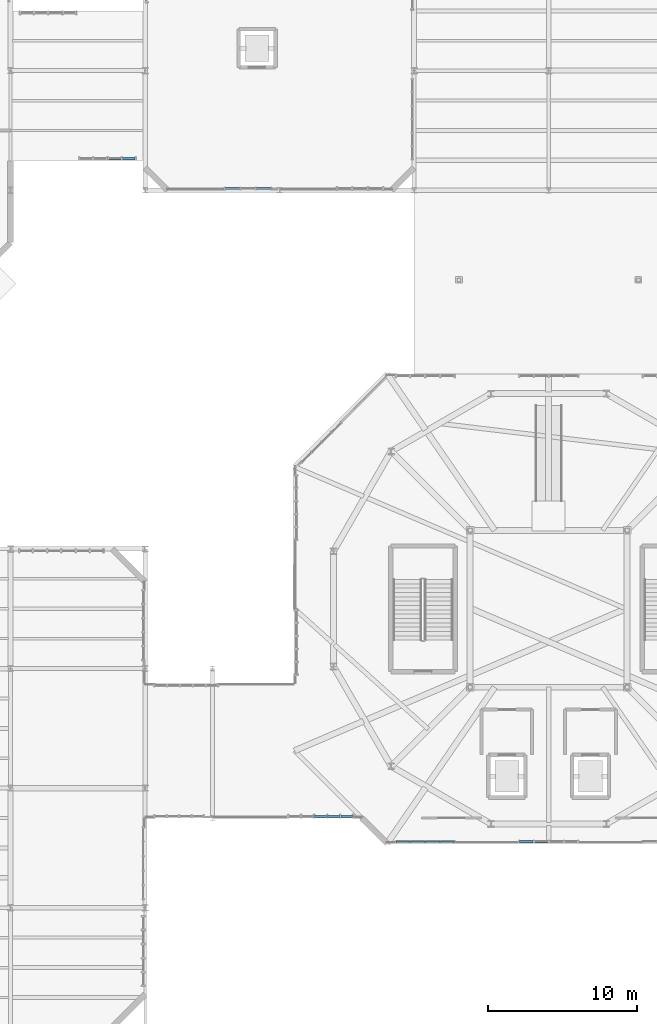
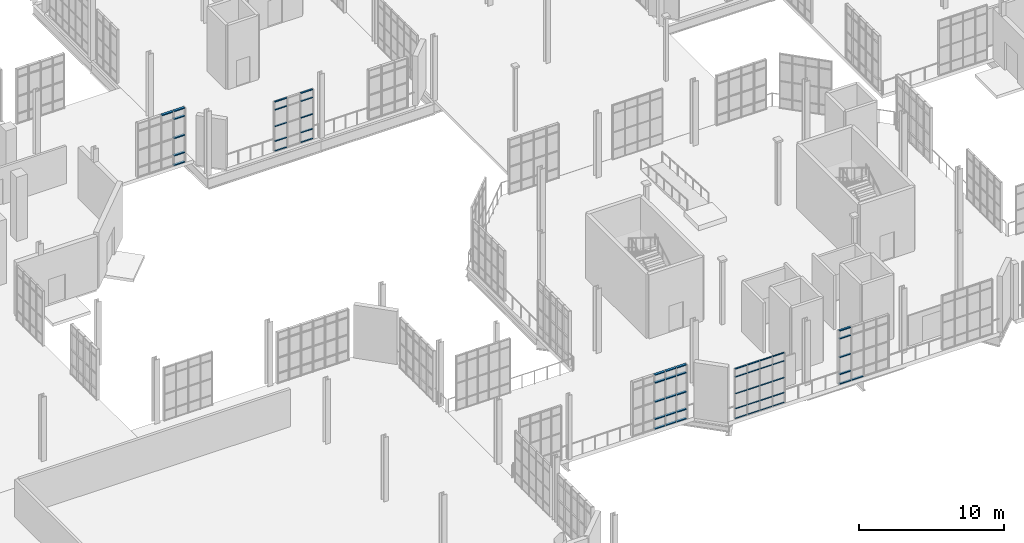
# One storey, part 119 of 189: 57 members, 5 elements without a shape of their own.
"""IFC4 building model written with IfcOpenShell, lengths in metres."""

from ifc_helpers import new_model, si_unit, direction, frame, origin, origin_2d, place, context, subcontext, project, spatial, hollow_rectangle, extrude, material, layer, layer_set, material_profile, profile_set, type_object, element, aggregate, save


model = new_model("IFC4")

# Units and contexts
model_context = context("Model", 3, precision=1e-05, world=origin(), true_north=direction((0.0, 1.0)))
body_context = subcontext(model_context, "Body", "Model", "MODEL_VIEW")
ifc_project = project(units=[si_unit("LENGTHUNIT", "METRE"), si_unit("AREAUNIT", "SQUARE_METRE"), si_unit("VOLUMEUNIT", "CUBIC_METRE"), si_unit("PLANEANGLEUNIT", "RADIAN"), si_unit("MASSUNIT", "GRAM", prefix="KILO"), si_unit("THERMODYNAMICTEMPERATUREUNIT", "KELVIN"), si_unit("POWERUNIT", "WATT")], contexts=[model_context])

# Site, building, storey
site_placement = place(None, origin())
site = spatial("IfcSite", under=ifc_project, at=site_placement, CompositionType="ELEMENT")
building_placement = place(site_placement, origin())
building = spatial("IfcBuilding", under=site, at=building_placement, Name="Zelmaris Science Centre", CompositionType="ELEMENT")
storey_placement = place(building_placement, origin())
storey = spatial("IfcBuildingStorey", under=building, at=storey_placement, Name="L00", CompositionType="ELEMENT", Elevation=0.0)

# Curtain wall, members
ifc_material = material(Name="Anodised architectural aluminium 6063-T6", Category="aluminium")
ifc_layer_1 = layer(ifc_material, 0.219970703125, Name="Anodised architectural aluminium 6063-T6")
ifc_layer_set_1 = layer_set([ifc_layer_1], Name="Anodised architectural aluminium 6063-T6")
curtain_wall_type_1 = type_object("IfcCurtainWallType", Name="Curtain Wall CW-04", PredefinedType="USERDEFINED", material=ifc_layer_set_1)
curtain_wall_1_placement = place(storey_placement, origin())
curtain_wall_1 = element("IfcCurtainWall", 1, at=curtain_wall_1_placement, inside=storey, type_object=curtain_wall_type_1, Name="L00 Unitised curtain wall 120", ObjectType="GLAZED CURTAIN WALL", PredefinedType="USERDEFINED")
ifc_material_profile_1 = material_profile(ifc_material, hollow_rectangle(XDim=0.06005859375, YDim=0.110107421875, WallThickness=0.0029296875, at=origin_2d()), Name="ALU-TRN-60X110")
ifc_profile_set_1 = profile_set([ifc_material_profile_1], Name="Anodised architectural aluminium 6063-T6")
member_type_1 = type_object("IfcMemberType", Name="ALU-TRN-60X110", PredefinedType="USERDEFINED", material=ifc_profile_set_1)
member_1_placement = place(storey_placement, frame((74.697265625, 20.419921875, 0.010986328125), z_axis=(-1.0, 0.0, 0.0), x_axis=(0.0, 0.0, 1.0)))
member_1 = element("IfcMember", 2, at=member_1_placement, type_object=member_type_1, Name="CW-04 transom 1.1", ObjectType="TRANSOM", PredefinedType="USERDEFINED", context=body_context, shape_type="SweptSolid", body=[
    extrude(hollow_rectangle(XDim=0.06005859375, YDim=0.110107421875, WallThickness=0.0029296875, at=origin_2d()), origin(), (0.0, 0.0, 1.0), 0.924072265625),
])
member_2_placement = place(storey_placement, frame((74.697265625, 20.419921875, 0.8349609375), z_axis=(-1.0, 0.0, 0.0), x_axis=(0.0, 0.0, 1.0)))
member_2 = element("IfcMember", 3, at=member_2_placement, type_object=member_type_1, Name="CW-04 transom 1.2", ObjectType="TRANSOM", PredefinedType="USERDEFINED", context=body_context, shape_type="SweptSolid", body=[
    extrude(hollow_rectangle(XDim=0.06005859375, YDim=0.110107421875, WallThickness=0.0029296875, at=origin_2d()), origin(), (0.0, 0.0, 1.0), 0.924072265625),
])
member_3_placement = place(storey_placement, frame((74.697265625, 20.419921875, 2.094482421875), z_axis=(-1.0, 0.0, 0.0), x_axis=(0.0, 0.0, 1.0)))
member_3 = element("IfcMember", 4, at=member_3_placement, type_object=member_type_1, Name="CW-04 transom 1.3", ObjectType="TRANSOM", PredefinedType="USERDEFINED", context=body_context, shape_type="SweptSolid", body=[
    extrude(hollow_rectangle(XDim=0.06005859375, YDim=0.110107421875, WallThickness=0.0029296875, at=origin_2d()), origin(), (0.0, 0.0, 1.0), 0.924072265625),
])
member_4_placement = place(storey_placement, frame((74.697265625, 20.419921875, 3.50390625), z_axis=(-1.0, 0.0, 0.0), x_axis=(0.0, 0.0, 1.0)))
member_4 = element("IfcMember", 5, at=member_4_placement, type_object=member_type_1, Name="CW-04 transom 1.4", ObjectType="TRANSOM", PredefinedType="USERDEFINED", context=body_context, shape_type="SweptSolid", body=[
    extrude(hollow_rectangle(XDim=0.06005859375, YDim=0.110107421875, WallThickness=0.0029296875, at=origin_2d()), origin(), (0.0, 0.0, 1.0), 0.924072265625),
])
member_5_placement = place(storey_placement, frame((74.697265625, 20.419921875, 4.177978515625), z_axis=(-1.0, 0.0, 0.0), x_axis=(0.0, 0.0, 1.0)))
member_5 = element("IfcMember", 6, at=member_5_placement, type_object=member_type_1, Name="CW-04 transom 1.5", ObjectType="TRANSOM", PredefinedType="USERDEFINED", context=body_context, shape_type="SweptSolid", body=[
    extrude(hollow_rectangle(XDim=0.06005859375, YDim=0.110107421875, WallThickness=0.0029296875, at=origin_2d()), origin(), (0.0, 0.0, 1.0), 0.924072265625),
])
member_6_placement = place(storey_placement, frame((73.72119140625, 20.419921875, 0.010986328125), z_axis=(-1.0, 0.0, 0.0), x_axis=(0.0, 0.0, 1.0)))
member_6 = element("IfcMember", 7, at=member_6_placement, type_object=member_type_1, Name="CW-04 transom 2.1", ObjectType="TRANSOM", PredefinedType="USERDEFINED", context=body_context, shape_type="SweptSolid", body=[
    extrude(hollow_rectangle(XDim=0.06005859375, YDim=0.110107421875, WallThickness=0.0029296875, at=origin_2d()), origin(), (0.0, 0.0, 1.0), 0.949951171875),
])
member_7_placement = place(storey_placement, frame((73.72119140625, 20.419921875, 0.8349609375), z_axis=(-1.0, 0.0, 0.0), x_axis=(0.0, 0.0, 1.0)))
member_7 = element("IfcMember", 8, at=member_7_placement, type_object=member_type_1, Name="CW-04 transom 2.2", ObjectType="TRANSOM", PredefinedType="USERDEFINED", context=body_context, shape_type="SweptSolid", body=[
    extrude(hollow_rectangle(XDim=0.06005859375, YDim=0.110107421875, WallThickness=0.0029296875, at=origin_2d()), origin(), (0.0, 0.0, 1.0), 0.949951171875),
])
member_8_placement = place(storey_placement, frame((73.72119140625, 20.419921875, 2.094482421875), z_axis=(-1.0, 0.0, 0.0), x_axis=(0.0, 0.0, 1.0)))
member_8 = element("IfcMember", 9, at=member_8_placement, type_object=member_type_1, Name="CW-04 transom 2.3", ObjectType="TRANSOM", PredefinedType="USERDEFINED", context=body_context, shape_type="SweptSolid", body=[
    extrude(hollow_rectangle(XDim=0.06005859375, YDim=0.110107421875, WallThickness=0.0029296875, at=origin_2d()), origin(), (0.0, 0.0, 1.0), 0.949951171875),
])
member_9_placement = place(storey_placement, frame((73.72119140625, 20.419921875, 3.50390625), z_axis=(-1.0, 0.0, 0.0), x_axis=(0.0, 0.0, 1.0)))
member_9 = element("IfcMember", 10, at=member_9_placement, type_object=member_type_1, Name="CW-04 transom 2.4", ObjectType="TRANSOM", PredefinedType="USERDEFINED", context=body_context, shape_type="SweptSolid", body=[
    extrude(hollow_rectangle(XDim=0.06005859375, YDim=0.110107421875, WallThickness=0.0029296875, at=origin_2d()), origin(), (0.0, 0.0, 1.0), 0.949951171875),
])
member_10_placement = place(storey_placement, frame((73.72119140625, 20.419921875, 4.177978515625), z_axis=(-1.0, 0.0, 0.0), x_axis=(0.0, 0.0, 1.0)))
member_10 = element("IfcMember", 11, at=member_10_placement, type_object=member_type_1, Name="CW-04 transom 2.5", ObjectType="TRANSOM", PredefinedType="USERDEFINED", context=body_context, shape_type="SweptSolid", body=[
    extrude(hollow_rectangle(XDim=0.06005859375, YDim=0.110107421875, WallThickness=0.0029296875, at=origin_2d()), origin(), (0.0, 0.0, 1.0), 0.949951171875),
])
member_11_placement = place(storey_placement, frame((72.71923828125, 20.419921875, 0.010986328125), z_axis=(-1.0, 0.0, 0.0), x_axis=(0.0, 0.0, 1.0)))
member_11 = element("IfcMember", 12, at=member_11_placement, type_object=member_type_1, Name="CW-04 transom 3.1", ObjectType="TRANSOM", PredefinedType="USERDEFINED", context=body_context, shape_type="SweptSolid", body=[
    extrude(hollow_rectangle(XDim=0.06005859375, YDim=0.110107421875, WallThickness=0.0029296875, at=origin_2d()), origin(), (0.0, 0.0, 1.0), 0.94970703125),
])
member_12_placement = place(storey_placement, frame((72.71923828125, 20.419921875, 0.8349609375), z_axis=(-1.0, 0.0, 0.0), x_axis=(0.0, 0.0, 1.0)))
member_12 = element("IfcMember", 13, at=member_12_placement, type_object=member_type_1, Name="CW-04 transom 3.2", ObjectType="TRANSOM", PredefinedType="USERDEFINED", context=body_context, shape_type="SweptSolid", body=[
    extrude(hollow_rectangle(XDim=0.06005859375, YDim=0.110107421875, WallThickness=0.0029296875, at=origin_2d()), origin(), (0.0, 0.0, 1.0), 0.94970703125),
])
member_13_placement = place(storey_placement, frame((72.71923828125, 20.419921875, 2.094482421875), z_axis=(-1.0, 0.0, 0.0), x_axis=(0.0, 0.0, 1.0)))
member_13 = element("IfcMember", 14, at=member_13_placement, type_object=member_type_1, Name="CW-04 transom 3.3", ObjectType="TRANSOM", PredefinedType="USERDEFINED", context=body_context, shape_type="SweptSolid", body=[
    extrude(hollow_rectangle(XDim=0.06005859375, YDim=0.110107421875, WallThickness=0.0029296875, at=origin_2d()), origin(), (0.0, 0.0, 1.0), 0.94970703125),
])
member_14_placement = place(storey_placement, frame((72.71923828125, 20.419921875, 3.50390625), z_axis=(-1.0, 0.0, 0.0), x_axis=(0.0, 0.0, 1.0)))
member_14 = element("IfcMember", 15, at=member_14_placement, type_object=member_type_1, Name="CW-04 transom 3.4", ObjectType="TRANSOM", PredefinedType="USERDEFINED", context=body_context, shape_type="SweptSolid", body=[
    extrude(hollow_rectangle(XDim=0.06005859375, YDim=0.110107421875, WallThickness=0.0029296875, at=origin_2d()), origin(), (0.0, 0.0, 1.0), 0.94970703125),
])
member_15_placement = place(storey_placement, frame((72.71923828125, 20.419921875, 4.177978515625), z_axis=(-1.0, 0.0, 0.0), x_axis=(0.0, 0.0, 1.0)))
member_15 = element("IfcMember", 16, at=member_15_placement, type_object=member_type_1, Name="CW-04 transom 3.5", ObjectType="TRANSOM", PredefinedType="USERDEFINED", context=body_context, shape_type="SweptSolid", body=[
    extrude(hollow_rectangle(XDim=0.06005859375, YDim=0.110107421875, WallThickness=0.0029296875, at=origin_2d()), origin(), (0.0, 0.0, 1.0), 0.94970703125),
])
member_16_placement = place(storey_placement, frame((71.717529296875, 20.419921875, 0.010986328125), z_axis=(-1.0, 0.0, 0.0), x_axis=(0.0, 0.0, 1.0)))
member_16 = element("IfcMember", 17, at=member_16_placement, type_object=member_type_1, Name="CW-04 transom 4.1", ObjectType="TRANSOM", PredefinedType="USERDEFINED", context=body_context, shape_type="SweptSolid", body=[
    extrude(hollow_rectangle(XDim=0.06005859375, YDim=0.110107421875, WallThickness=0.0029296875, at=origin_2d()), origin(), (0.0, 0.0, 1.0), 0.924072265625),
])
member_17_placement = place(storey_placement, frame((71.717529296875, 20.419921875, 0.8349609375), z_axis=(-1.0, 0.0, 0.0), x_axis=(0.0, 0.0, 1.0)))
member_17 = element("IfcMember", 18, at=member_17_placement, type_object=member_type_1, Name="CW-04 transom 4.2", ObjectType="TRANSOM", PredefinedType="USERDEFINED", context=body_context, shape_type="SweptSolid", body=[
    extrude(hollow_rectangle(XDim=0.06005859375, YDim=0.110107421875, WallThickness=0.0029296875, at=origin_2d()), origin(), (0.0, 0.0, 1.0), 0.924072265625),
])
member_18_placement = place(storey_placement, frame((71.717529296875, 20.419921875, 2.094482421875), z_axis=(-1.0, 0.0, 0.0), x_axis=(0.0, 0.0, 1.0)))
member_18 = element("IfcMember", 19, at=member_18_placement, type_object=member_type_1, Name="CW-04 transom 4.3", ObjectType="TRANSOM", PredefinedType="USERDEFINED", context=body_context, shape_type="SweptSolid", body=[
    extrude(hollow_rectangle(XDim=0.06005859375, YDim=0.110107421875, WallThickness=0.0029296875, at=origin_2d()), origin(), (0.0, 0.0, 1.0), 0.924072265625),
])
member_19_placement = place(storey_placement, frame((71.717529296875, 20.419921875, 3.50390625), z_axis=(-1.0, 0.0, 0.0), x_axis=(0.0, 0.0, 1.0)))
member_19 = element("IfcMember", 20, at=member_19_placement, type_object=member_type_1, Name="CW-04 transom 4.4", ObjectType="TRANSOM", PredefinedType="USERDEFINED", context=body_context, shape_type="SweptSolid", body=[
    extrude(hollow_rectangle(XDim=0.06005859375, YDim=0.110107421875, WallThickness=0.0029296875, at=origin_2d()), origin(), (0.0, 0.0, 1.0), 0.924072265625),
])
member_20_placement = place(storey_placement, frame((71.717529296875, 20.419921875, 4.177978515625), z_axis=(-1.0, 0.0, 0.0), x_axis=(0.0, 0.0, 1.0)))
member_20 = element("IfcMember", 21, at=member_20_placement, type_object=member_type_1, Name="CW-04 transom 4.5", ObjectType="TRANSOM", PredefinedType="USERDEFINED", context=body_context, shape_type="SweptSolid", body=[
    extrude(hollow_rectangle(XDim=0.06005859375, YDim=0.110107421875, WallThickness=0.0029296875, at=origin_2d()), origin(), (0.0, 0.0, 1.0), 0.924072265625),
])
aggregate(curtain_wall_1, [member_1, member_2, member_3, member_4, member_5, member_6, member_7, member_8, member_9, member_10, member_11, member_12, member_13, member_14, member_15, member_16, member_17, member_18, member_19, member_20])

ifc_layer_2 = layer(ifc_material, 0.2099609375, Name="Anodised architectural aluminium 6063-T6")
ifc_layer_set_2 = layer_set([ifc_layer_2], Name="Anodised architectural aluminium 6063-T6")
curtain_wall_type_2 = type_object("IfcCurtainWallType", Name="Curtain Wall CW-03", PredefinedType="USERDEFINED", material=ifc_layer_set_2)
curtain_wall_2_placement = place(storey_placement, origin())
curtain_wall_2 = element("IfcCurtainWall", 22, at=curtain_wall_2_placement, inside=storey, type_object=curtain_wall_type_2, Name="L00 Unitised curtain wall 35", ObjectType="GLAZED CURTAIN WALL", PredefinedType="USERDEFINED")
ifc_material_profile_2 = material_profile(ifc_material, hollow_rectangle(XDim=0.06494140625, YDim=0.1298828125, WallThickness=0.00341796875, at=origin_2d()), Name="ALU-TRN-65X130")
ifc_profile_set_2 = profile_set([ifc_material_profile_2], Name="Anodised architectural aluminium 6063-T6")
member_type_2 = type_object("IfcMemberType", Name="ALU-TRN-65X130", PredefinedType="USERDEFINED", material=ifc_profile_set_2)
member_21_placement = place(storey_placement, frame((62.403076171875, 64.1201171875, 0.013427734375), z_axis=(-1.0, 0.0, 0.0), x_axis=(0.0, 0.0, 1.0)))
member_21 = element("IfcMember", 23, at=member_21_placement, type_object=member_type_2, Name="CW-03 transom 1.1", ObjectType="TRANSOM", PredefinedType="USERDEFINED", context=body_context, shape_type="SweptSolid", body=[
    extrude(hollow_rectangle(XDim=0.06494140625, YDim=0.1298828125, WallThickness=0.00341796875, at=origin_2d()), origin(), (0.0, 0.0, 1.0), 0.964599609375),
])
member_22_placement = place(storey_placement, frame((62.403076171875, 64.1201171875, 0.8349609375), z_axis=(-1.0, 0.0, 0.0), x_axis=(0.0, 0.0, 1.0)))
member_22 = element("IfcMember", 24, at=member_22_placement, type_object=member_type_2, Name="CW-03 transom 1.2", ObjectType="TRANSOM", PredefinedType="USERDEFINED", context=body_context, shape_type="SweptSolid", body=[
    extrude(hollow_rectangle(XDim=0.06494140625, YDim=0.1298828125, WallThickness=0.00341796875, at=origin_2d()), origin(), (0.0, 0.0, 1.0), 0.964599609375),
])
member_23_placement = place(storey_placement, frame((62.403076171875, 64.1201171875, 2.0791015625), z_axis=(-1.0, 0.0, 0.0), x_axis=(0.0, 0.0, 1.0)))
member_23 = element("IfcMember", 25, at=member_23_placement, type_object=member_type_2, Name="CW-03 transom 1.3", ObjectType="TRANSOM", PredefinedType="USERDEFINED", context=body_context, shape_type="SweptSolid", body=[
    extrude(hollow_rectangle(XDim=0.06494140625, YDim=0.1298828125, WallThickness=0.00341796875, at=origin_2d()), origin(), (0.0, 0.0, 1.0), 0.964599609375),
])
member_24_placement = place(storey_placement, frame((62.403076171875, 64.1201171875, 3.472900390625), z_axis=(-1.0, 0.0, 0.0), x_axis=(0.0, 0.0, 1.0)))
member_24 = element("IfcMember", 26, at=member_24_placement, type_object=member_type_2, Name="CW-03 transom 1.4", ObjectType="TRANSOM", PredefinedType="USERDEFINED", context=body_context, shape_type="SweptSolid", body=[
    extrude(hollow_rectangle(XDim=0.06494140625, YDim=0.1298828125, WallThickness=0.00341796875, at=origin_2d()), origin(), (0.0, 0.0, 1.0), 0.964599609375),
])
member_25_placement = place(storey_placement, frame((62.403076171875, 64.1201171875, 4.14453125), z_axis=(-1.0, 0.0, 0.0), x_axis=(0.0, 0.0, 1.0)))
member_25 = element("IfcMember", 27, at=member_25_placement, type_object=member_type_2, Name="CW-03 transom 1.5", ObjectType="TRANSOM", PredefinedType="USERDEFINED", context=body_context, shape_type="SweptSolid", body=[
    extrude(hollow_rectangle(XDim=0.06494140625, YDim=0.1298828125, WallThickness=0.00341796875, at=origin_2d()), origin(), (0.0, 0.0, 1.0), 0.964599609375),
])
member_26_placement = place(storey_placement, frame((60.33154296875, 64.1201171875, 0.013427734375), z_axis=(-1.0, 0.0, 0.0), x_axis=(0.0, 0.0, 1.0)))
member_26 = element("IfcMember", 28, at=member_26_placement, type_object=member_type_2, Name="CW-03 transom 3.1", ObjectType="TRANSOM", PredefinedType="USERDEFINED", context=body_context, shape_type="SweptSolid", body=[
    extrude(hollow_rectangle(XDim=0.06494140625, YDim=0.1298828125, WallThickness=0.00341796875, at=origin_2d()), origin(), (0.0, 0.0, 1.0), 0.964599609375),
])
member_27_placement = place(storey_placement, frame((60.33154296875, 64.1201171875, 0.8349609375), z_axis=(-1.0, 0.0, 0.0), x_axis=(0.0, 0.0, 1.0)))
member_27 = element("IfcMember", 29, at=member_27_placement, type_object=member_type_2, Name="CW-03 transom 3.2", ObjectType="TRANSOM", PredefinedType="USERDEFINED", context=body_context, shape_type="SweptSolid", body=[
    extrude(hollow_rectangle(XDim=0.06494140625, YDim=0.1298828125, WallThickness=0.00341796875, at=origin_2d()), origin(), (0.0, 0.0, 1.0), 0.964599609375),
])
member_28_placement = place(storey_placement, frame((60.33154296875, 64.1201171875, 2.0791015625), z_axis=(-1.0, 0.0, 0.0), x_axis=(0.0, 0.0, 1.0)))
member_28 = element("IfcMember", 30, at=member_28_placement, type_object=member_type_2, Name="CW-03 transom 3.3", ObjectType="TRANSOM", PredefinedType="USERDEFINED", context=body_context, shape_type="SweptSolid", body=[
    extrude(hollow_rectangle(XDim=0.06494140625, YDim=0.1298828125, WallThickness=0.00341796875, at=origin_2d()), origin(), (0.0, 0.0, 1.0), 0.964599609375),
])
member_29_placement = place(storey_placement, frame((60.33154296875, 64.1201171875, 3.472900390625), z_axis=(-1.0, 0.0, 0.0), x_axis=(0.0, 0.0, 1.0)))
member_29 = element("IfcMember", 31, at=member_29_placement, type_object=member_type_2, Name="CW-03 transom 3.4", ObjectType="TRANSOM", PredefinedType="USERDEFINED", context=body_context, shape_type="SweptSolid", body=[
    extrude(hollow_rectangle(XDim=0.06494140625, YDim=0.1298828125, WallThickness=0.00341796875, at=origin_2d()), origin(), (0.0, 0.0, 1.0), 0.964599609375),
])
member_30_placement = place(storey_placement, frame((60.33154296875, 64.1201171875, 4.14453125), z_axis=(-1.0, 0.0, 0.0), x_axis=(0.0, 0.0, 1.0)))
member_30 = element("IfcMember", 32, at=member_30_placement, type_object=member_type_2, Name="CW-03 transom 3.5", ObjectType="TRANSOM", PredefinedType="USERDEFINED", context=body_context, shape_type="SweptSolid", body=[
    extrude(hollow_rectangle(XDim=0.06494140625, YDim=0.1298828125, WallThickness=0.00341796875, at=origin_2d()), origin(), (0.0, 0.0, 1.0), 0.964599609375),
])
aggregate(curtain_wall_2, [member_21, member_22, member_23, member_24, member_25, member_26, member_27, member_28, member_29, member_30])

ifc_layer_3 = layer(ifc_material, 0.199951171875, Name="Anodised architectural aluminium 6063-T6")
ifc_layer_set_3 = layer_set([ifc_layer_3], Name="Anodised architectural aluminium 6063-T6")
curtain_wall_type_3 = type_object("IfcCurtainWallType", Name="Curtain Wall CW-02", PredefinedType="USERDEFINED", material=ifc_layer_set_3)
curtain_wall_3_placement = place(storey_placement, origin())
curtain_wall_3 = element("IfcCurtainWall", 33, at=curtain_wall_3_placement, inside=storey, type_object=curtain_wall_type_3, Name="L00 Unitised curtain wall 118", ObjectType="GLAZED CURTAIN WALL", PredefinedType="USERDEFINED")
ifc_material_profile_3 = material_profile(ifc_material, hollow_rectangle(XDim=0.074951171875, YDim=0.159912109375, WallThickness=0.00390625, at=origin_2d()), Name="ALU-TRN-75X160")
ifc_profile_set_3 = profile_set([ifc_material_profile_3], Name="Anodised architectural aluminium 6063-T6")
member_type_3 = type_object("IfcMemberType", Name="ALU-TRN-75X160", PredefinedType="USERDEFINED", material=ifc_profile_set_3)
member_31_placement = place(storey_placement, frame((80.96728515625, 20.419921875, 0.0185546875), z_axis=(-1.0, 0.0, 0.0), x_axis=(0.0, 0.0, 1.0)))
member_31 = element("IfcMember", 34, at=member_31_placement, type_object=member_type_3, Name="CW-02 transom 3.1", ObjectType="TRANSOM", PredefinedType="USERDEFINED", context=body_context, shape_type="SweptSolid", body=[
    extrude(hollow_rectangle(XDim=0.074951171875, YDim=0.159912109375, WallThickness=0.00390625, at=origin_2d()), origin(), (0.0, 0.0, 1.0), 0.93505859375),
])
member_32_placement = place(storey_placement, frame((79.96533203125, 20.419921875, 0.0185546875), z_axis=(-1.0, 0.0, 0.0), x_axis=(0.0, 0.0, 1.0)))
member_32 = element("IfcMember", 35, at=member_32_placement, type_object=member_type_3, Name="CW-02 transom 4.1", ObjectType="TRANSOM", PredefinedType="USERDEFINED", context=body_context, shape_type="SweptSolid", body=[
    extrude(hollow_rectangle(XDim=0.074951171875, YDim=0.159912109375, WallThickness=0.00390625, at=origin_2d()), origin(), (0.0, 0.0, 1.0), 0.9013671875),
])
member_33_placement = place(storey_placement, frame((79.96533203125, 20.419921875, 0.8349609375), z_axis=(-1.0, 0.0, 0.0), x_axis=(0.0, 0.0, 1.0)))
member_33 = element("IfcMember", 36, at=member_33_placement, type_object=member_type_3, Name="CW-02 transom 4.2", ObjectType="TRANSOM", PredefinedType="USERDEFINED", context=body_context, shape_type="SweptSolid", body=[
    extrude(hollow_rectangle(XDim=0.074951171875, YDim=0.159912109375, WallThickness=0.00390625, at=origin_2d()), origin(), (0.0, 0.0, 1.0), 0.9013671875),
])
member_34_placement = place(storey_placement, frame((79.96533203125, 20.419921875, 2.256103515625), z_axis=(-1.0, 0.0, 0.0), x_axis=(0.0, 0.0, 1.0)))
member_34 = element("IfcMember", 37, at=member_34_placement, type_object=member_type_3, Name="CW-02 transom 4.3", ObjectType="TRANSOM", PredefinedType="USERDEFINED", context=body_context, shape_type="SweptSolid", body=[
    extrude(hollow_rectangle(XDim=0.074951171875, YDim=0.159912109375, WallThickness=0.00390625, at=origin_2d()), origin(), (0.0, 0.0, 1.0), 0.9013671875),
])
member_35_placement = place(storey_placement, frame((79.96533203125, 20.419921875, 3.826904296875), z_axis=(-1.0, 0.0, 0.0), x_axis=(0.0, 0.0, 1.0)))
member_35 = element("IfcMember", 38, at=member_35_placement, type_object=member_type_3, Name="CW-02 transom 4.4", ObjectType="TRANSOM", PredefinedType="USERDEFINED", context=body_context, shape_type="SweptSolid", body=[
    extrude(hollow_rectangle(XDim=0.074951171875, YDim=0.159912109375, WallThickness=0.00390625, at=origin_2d()), origin(), (0.0, 0.0, 1.0), 0.9013671875),
])
member_36_placement = place(storey_placement, frame((79.96533203125, 20.419921875, 4.493408203125), z_axis=(-1.0, 0.0, 0.0), x_axis=(0.0, 0.0, 1.0)))
member_36 = element("IfcMember", 39, at=member_36_placement, type_object=member_type_3, Name="CW-02 transom 4.5", ObjectType="TRANSOM", PredefinedType="USERDEFINED", context=body_context, shape_type="SweptSolid", body=[
    extrude(hollow_rectangle(XDim=0.074951171875, YDim=0.159912109375, WallThickness=0.00390625, at=origin_2d()), origin(), (0.0, 0.0, 1.0), 0.9013671875),
])
aggregate(curtain_wall_3, [member_31, member_32, member_33, member_34, member_35, member_36])

ifc_layer_4 = layer(ifc_material, 0.18994140625, Name="Anodised architectural aluminium 6063-T6")
ifc_layer_set_4 = layer_set([ifc_layer_4], Name="Anodised architectural aluminium 6063-T6")
curtain_wall_type_4 = type_object("IfcCurtainWallType", Name="Curtain Wall CW-01", PredefinedType="USERDEFINED", material=ifc_layer_set_4)
curtain_wall_4_placement = place(storey_placement, origin())
curtain_wall_4 = element("IfcCurtainWall", 40, at=curtain_wall_4_placement, inside=storey, type_object=curtain_wall_type_4, Name="L00 Unitised curtain wall 37", ObjectType="GLAZED CURTAIN WALL", PredefinedType="USERDEFINED")
ifc_material_profile_4 = material_profile(ifc_material, hollow_rectangle(XDim=0.080078125, YDim=0.18994140625, WallThickness=0.00439453125, at=origin_2d()), Name="ALU-TRN-80X190")
ifc_profile_set_4 = profile_set([ifc_material_profile_4], Name="Anodised architectural aluminium 6063-T6")
member_type_4 = type_object("IfcMemberType", Name="ALU-TRN-80X190", PredefinedType="USERDEFINED", material=ifc_profile_set_4)
member_37_placement = place(storey_placement, frame((53.339599609375, 66.118896484375, 0.02099609375), z_axis=(-1.0, 0.0, 0.0), x_axis=(0.0, 0.0, 1.0)))
member_37 = element("IfcMember", 41, at=member_37_placement, type_object=member_type_4, Name="CW-01 transom 1.1", ObjectType="TRANSOM", PredefinedType="USERDEFINED", context=body_context, shape_type="SweptSolid", body=[
    extrude(hollow_rectangle(XDim=0.080078125, YDim=0.18994140625, WallThickness=0.00439453125, at=origin_2d()), origin(), (0.0, 0.0, 1.0), 0.854736328125),
])
member_38_placement = place(storey_placement, frame((53.339599609375, 66.118896484375, 0.8349609375), z_axis=(-1.0, 0.0, 0.0), x_axis=(0.0, 0.0, 1.0)))
member_38 = element("IfcMember", 42, at=member_38_placement, type_object=member_type_4, Name="CW-01 transom 1.2", ObjectType="TRANSOM", PredefinedType="USERDEFINED", context=body_context, shape_type="SweptSolid", body=[
    extrude(hollow_rectangle(XDim=0.080078125, YDim=0.18994140625, WallThickness=0.00439453125, at=origin_2d()), origin(), (0.0, 0.0, 1.0), 0.854736328125),
])
member_39_placement = place(storey_placement, frame((53.339599609375, 66.118896484375, 2.29248046875), z_axis=(-1.0, 0.0, 0.0), x_axis=(0.0, 0.0, 1.0)))
member_39 = element("IfcMember", 43, at=member_39_placement, type_object=member_type_4, Name="CW-01 transom 1.3", ObjectType="TRANSOM", PredefinedType="USERDEFINED", context=body_context, shape_type="SweptSolid", body=[
    extrude(hollow_rectangle(XDim=0.080078125, YDim=0.18994140625, WallThickness=0.00439453125, at=origin_2d()), origin(), (0.0, 0.0, 1.0), 0.854736328125),
])
member_40_placement = place(storey_placement, frame((53.339599609375, 66.118896484375, 3.89990234375), z_axis=(-1.0, 0.0, 0.0), x_axis=(0.0, 0.0, 1.0)))
member_40 = element("IfcMember", 44, at=member_40_placement, type_object=member_type_4, Name="CW-01 transom 1.4", ObjectType="TRANSOM", PredefinedType="USERDEFINED", context=body_context, shape_type="SweptSolid", body=[
    extrude(hollow_rectangle(XDim=0.080078125, YDim=0.18994140625, WallThickness=0.00439453125, at=origin_2d()), origin(), (0.0, 0.0, 1.0), 0.854736328125),
])
member_41_placement = place(storey_placement, frame((53.339599609375, 66.118896484375, 4.56396484375), z_axis=(-1.0, 0.0, 0.0), x_axis=(0.0, 0.0, 1.0)))
member_41 = element("IfcMember", 45, at=member_41_placement, type_object=member_type_4, Name="CW-01 transom 1.5", ObjectType="TRANSOM", PredefinedType="USERDEFINED", context=body_context, shape_type="SweptSolid", body=[
    extrude(hollow_rectangle(XDim=0.080078125, YDim=0.18994140625, WallThickness=0.00439453125, at=origin_2d()), origin(), (0.0, 0.0, 1.0), 0.854736328125),
])
member_42_placement = place(storey_placement, frame((52.412841796875, 66.118896484375, 4.56396484375), z_axis=(-1.0, 0.0, 0.0), x_axis=(0.0, 0.0, 1.0)))
member_42 = element("IfcMember", 46, at=member_42_placement, type_object=member_type_4, Name="CW-01 transom 2.5", ObjectType="TRANSOM", PredefinedType="USERDEFINED", context=body_context, shape_type="SweptSolid", body=[
    extrude(hollow_rectangle(XDim=0.080078125, YDim=0.18994140625, WallThickness=0.00439453125, at=origin_2d()), origin(), (0.0, 0.0, 1.0), 0.89111328125),
])
aggregate(curtain_wall_4, [member_37, member_38, member_39, member_40, member_41, member_42])

curtain_wall_5_placement = place(storey_placement, origin())
curtain_wall_5 = element("IfcCurtainWall", 47, at=curtain_wall_5_placement, inside=storey, type_object=curtain_wall_type_4, Name="L00 Unitised curtain wall 121", ObjectType="GLAZED CURTAIN WALL", PredefinedType="USERDEFINED")
member_43_placement = place(storey_placement, frame((67.868896484375, 22.11962890625, 0.02099609375), z_axis=(-1.0, 0.0, 0.0), x_axis=(0.0, 0.0, 1.0)))
member_43 = element("IfcMember", 48, at=member_43_placement, type_object=member_type_4, Name="CW-01 transom 1.1", ObjectType="TRANSOM", PredefinedType="USERDEFINED", context=body_context, shape_type="SweptSolid", body=[
    extrude(hollow_rectangle(XDim=0.080078125, YDim=0.18994140625, WallThickness=0.00439453125, at=origin_2d()), origin(), (0.0, 0.0, 1.0), 0.77001953125),
])
member_44_placement = place(storey_placement, frame((67.868896484375, 22.11962890625, 0.8349609375), z_axis=(-1.0, 0.0, 0.0), x_axis=(0.0, 0.0, 1.0)))
member_44 = element("IfcMember", 49, at=member_44_placement, type_object=member_type_4, Name="CW-01 transom 1.2", ObjectType="TRANSOM", PredefinedType="USERDEFINED", context=body_context, shape_type="SweptSolid", body=[
    extrude(hollow_rectangle(XDim=0.080078125, YDim=0.18994140625, WallThickness=0.00439453125, at=origin_2d()), origin(), (0.0, 0.0, 1.0), 0.77001953125),
])
member_45_placement = place(storey_placement, frame((67.868896484375, 22.11962890625, 2.29248046875), z_axis=(-1.0, 0.0, 0.0), x_axis=(0.0, 0.0, 1.0)))
member_45 = element("IfcMember", 50, at=member_45_placement, type_object=member_type_4, Name="CW-01 transom 1.3", ObjectType="TRANSOM", PredefinedType="USERDEFINED", context=body_context, shape_type="SweptSolid", body=[
    extrude(hollow_rectangle(XDim=0.080078125, YDim=0.18994140625, WallThickness=0.00439453125, at=origin_2d()), origin(), (0.0, 0.0, 1.0), 0.77001953125),
])
member_46_placement = place(storey_placement, frame((67.868896484375, 22.11962890625, 3.89990234375), z_axis=(-1.0, 0.0, 0.0), x_axis=(0.0, 0.0, 1.0)))
member_46 = element("IfcMember", 51, at=member_46_placement, type_object=member_type_4, Name="CW-01 transom 1.4", ObjectType="TRANSOM", PredefinedType="USERDEFINED", context=body_context, shape_type="SweptSolid", body=[
    extrude(hollow_rectangle(XDim=0.080078125, YDim=0.18994140625, WallThickness=0.00439453125, at=origin_2d()), origin(), (0.0, 0.0, 1.0), 0.77001953125),
])
member_47_placement = place(storey_placement, frame((67.868896484375, 22.11962890625, 4.56396484375), z_axis=(-1.0, 0.0, 0.0), x_axis=(0.0, 0.0, 1.0)))
member_47 = element("IfcMember", 52, at=member_47_placement, type_object=member_type_4, Name="CW-01 transom 1.5", ObjectType="TRANSOM", PredefinedType="USERDEFINED", context=body_context, shape_type="SweptSolid", body=[
    extrude(hollow_rectangle(XDim=0.080078125, YDim=0.18994140625, WallThickness=0.00439453125, at=origin_2d()), origin(), (0.0, 0.0, 1.0), 0.77001953125),
])
member_48_placement = place(storey_placement, frame((67.02685546875, 22.11962890625, 0.02099609375), z_axis=(-1.0, 0.0, 0.0), x_axis=(0.0, 0.0, 1.0)))
member_48 = element("IfcMember", 53, at=member_48_placement, type_object=member_type_4, Name="CW-01 transom 2.1", ObjectType="TRANSOM", PredefinedType="USERDEFINED", context=body_context, shape_type="SweptSolid", body=[
    extrude(hollow_rectangle(XDim=0.080078125, YDim=0.18994140625, WallThickness=0.00439453125, at=origin_2d()), origin(), (0.0, 0.0, 1.0), 0.80615234375),
])
member_49_placement = place(storey_placement, frame((67.02685546875, 22.11962890625, 0.8349609375), z_axis=(-1.0, 0.0, 0.0), x_axis=(0.0, 0.0, 1.0)))
member_49 = element("IfcMember", 54, at=member_49_placement, type_object=member_type_4, Name="CW-01 transom 2.2", ObjectType="TRANSOM", PredefinedType="USERDEFINED", context=body_context, shape_type="SweptSolid", body=[
    extrude(hollow_rectangle(XDim=0.080078125, YDim=0.18994140625, WallThickness=0.00439453125, at=origin_2d()), origin(), (0.0, 0.0, 1.0), 0.80615234375),
])
member_50_placement = place(storey_placement, frame((67.02685546875, 22.11962890625, 2.29248046875), z_axis=(-1.0, 0.0, 0.0), x_axis=(0.0, 0.0, 1.0)))
member_50 = element("IfcMember", 55, at=member_50_placement, type_object=member_type_4, Name="CW-01 transom 2.3", ObjectType="TRANSOM", PredefinedType="USERDEFINED", context=body_context, shape_type="SweptSolid", body=[
    extrude(hollow_rectangle(XDim=0.080078125, YDim=0.18994140625, WallThickness=0.00439453125, at=origin_2d()), origin(), (0.0, 0.0, 1.0), 0.80615234375),
])
member_51_placement = place(storey_placement, frame((67.02685546875, 22.11962890625, 3.89990234375), z_axis=(-1.0, 0.0, 0.0), x_axis=(0.0, 0.0, 1.0)))
member_51 = element("IfcMember", 56, at=member_51_placement, type_object=member_type_4, Name="CW-01 transom 2.4", ObjectType="TRANSOM", PredefinedType="USERDEFINED", context=body_context, shape_type="SweptSolid", body=[
    extrude(hollow_rectangle(XDim=0.080078125, YDim=0.18994140625, WallThickness=0.00439453125, at=origin_2d()), origin(), (0.0, 0.0, 1.0), 0.80615234375),
])
member_52_placement = place(storey_placement, frame((67.02685546875, 22.11962890625, 4.56396484375), z_axis=(-1.0, 0.0, 0.0), x_axis=(0.0, 0.0, 1.0)))
member_52 = element("IfcMember", 57, at=member_52_placement, type_object=member_type_4, Name="CW-01 transom 2.5", ObjectType="TRANSOM", PredefinedType="USERDEFINED", context=body_context, shape_type="SweptSolid", body=[
    extrude(hollow_rectangle(XDim=0.080078125, YDim=0.18994140625, WallThickness=0.00439453125, at=origin_2d()), origin(), (0.0, 0.0, 1.0), 0.80615234375),
])
member_53_placement = place(storey_placement, frame((66.148681640625, 22.11962890625, 0.02099609375), z_axis=(-0.999999954114, 0.00030293849, 0.0), x_axis=(0.0, 0.0, 1.0)))
member_53 = element("IfcMember", 58, at=member_53_placement, type_object=member_type_4, Name="CW-01 transom 3.1", ObjectType="TRANSOM", PredefinedType="USERDEFINED", context=body_context, shape_type="SweptSolid", body=[
    extrude(hollow_rectangle(XDim=0.080078125, YDim=0.18994140625, WallThickness=0.00439453125, at=origin_2d()), origin(), (0.0, 0.0, 1.0), 0.805908203125),
])
member_54_placement = place(storey_placement, frame((66.148681640625, 22.11962890625, 0.8349609375), z_axis=(-0.999999954114, 0.00030293849, 0.0), x_axis=(0.0, 0.0, 1.0)))
member_54 = element("IfcMember", 59, at=member_54_placement, type_object=member_type_4, Name="CW-01 transom 3.2", ObjectType="TRANSOM", PredefinedType="USERDEFINED", context=body_context, shape_type="SweptSolid", body=[
    extrude(hollow_rectangle(XDim=0.080078125, YDim=0.18994140625, WallThickness=0.00439453125, at=origin_2d()), origin(), (0.0, 0.0, 1.0), 0.805908203125),
])
member_55_placement = place(storey_placement, frame((66.148681640625, 22.11962890625, 2.29248046875), z_axis=(-0.999999954114, 0.00030293849, 0.0), x_axis=(0.0, 0.0, 1.0)))
member_55 = element("IfcMember", 60, at=member_55_placement, type_object=member_type_4, Name="CW-01 transom 3.3", ObjectType="TRANSOM", PredefinedType="USERDEFINED", context=body_context, shape_type="SweptSolid", body=[
    extrude(hollow_rectangle(XDim=0.080078125, YDim=0.18994140625, WallThickness=0.00439453125, at=origin_2d()), origin(), (0.0, 0.0, 1.0), 0.805908203125),
])
member_56_placement = place(storey_placement, frame((66.148681640625, 22.11962890625, 3.89990234375), z_axis=(-0.999999954114, 0.00030293849, 0.0), x_axis=(0.0, 0.0, 1.0)))
member_56 = element("IfcMember", 61, at=member_56_placement, type_object=member_type_4, Name="CW-01 transom 3.4", ObjectType="TRANSOM", PredefinedType="USERDEFINED", context=body_context, shape_type="SweptSolid", body=[
    extrude(hollow_rectangle(XDim=0.080078125, YDim=0.18994140625, WallThickness=0.00439453125, at=origin_2d()), origin(), (0.0, 0.0, 1.0), 0.805908203125),
])
member_57_placement = place(storey_placement, frame((66.148681640625, 22.11962890625, 4.56396484375), z_axis=(-0.999999954114, 0.00030293849, 0.0), x_axis=(0.0, 0.0, 1.0)))
member_57 = element("IfcMember", 62, at=member_57_placement, type_object=member_type_4, Name="CW-01 transom 3.5", ObjectType="TRANSOM", PredefinedType="USERDEFINED", context=body_context, shape_type="SweptSolid", body=[
    extrude(hollow_rectangle(XDim=0.080078125, YDim=0.18994140625, WallThickness=0.00439453125, at=origin_2d()), origin(), (0.0, 0.0, 1.0), 0.805908203125),
])
aggregate(curtain_wall_5, [member_43, member_44, member_45, member_46, member_47, member_48, member_49, member_50, member_51, member_52, member_53, member_54, member_55, member_56, member_57])

save(model, "model.ifc")
